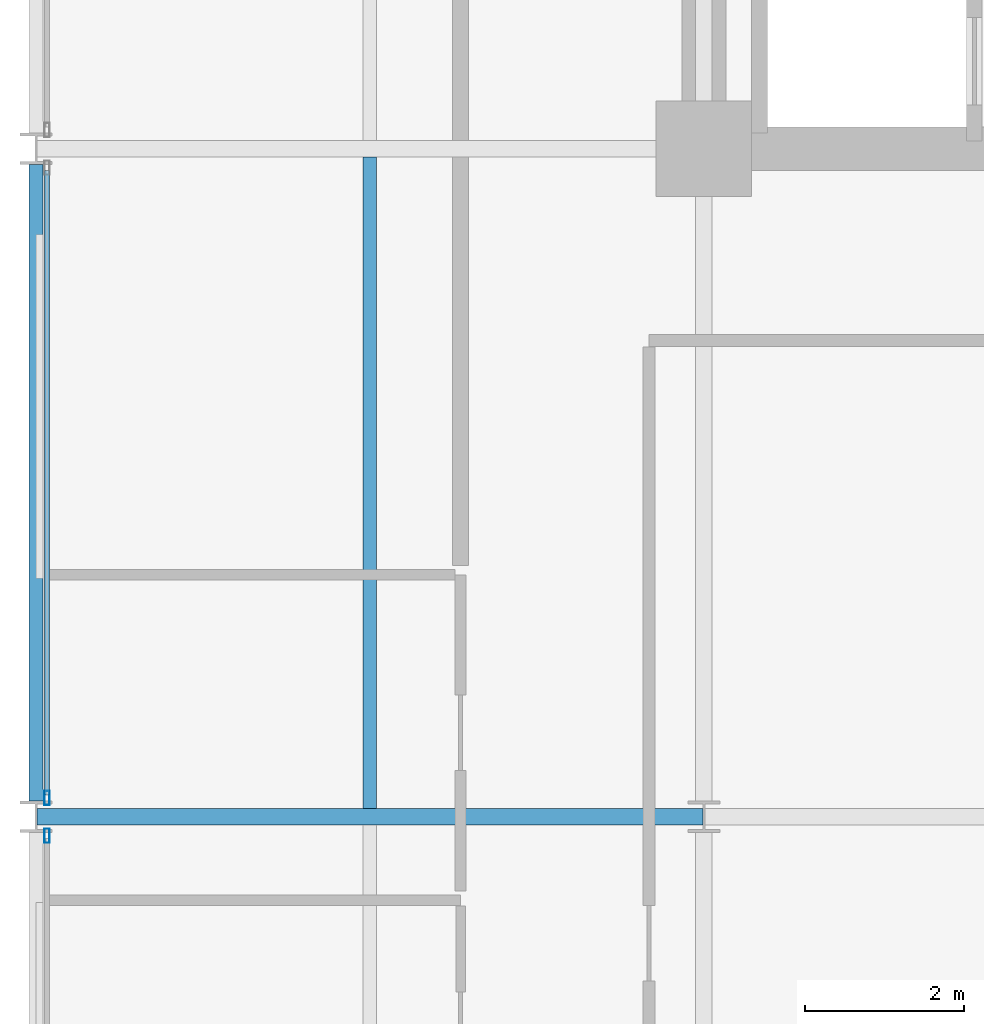
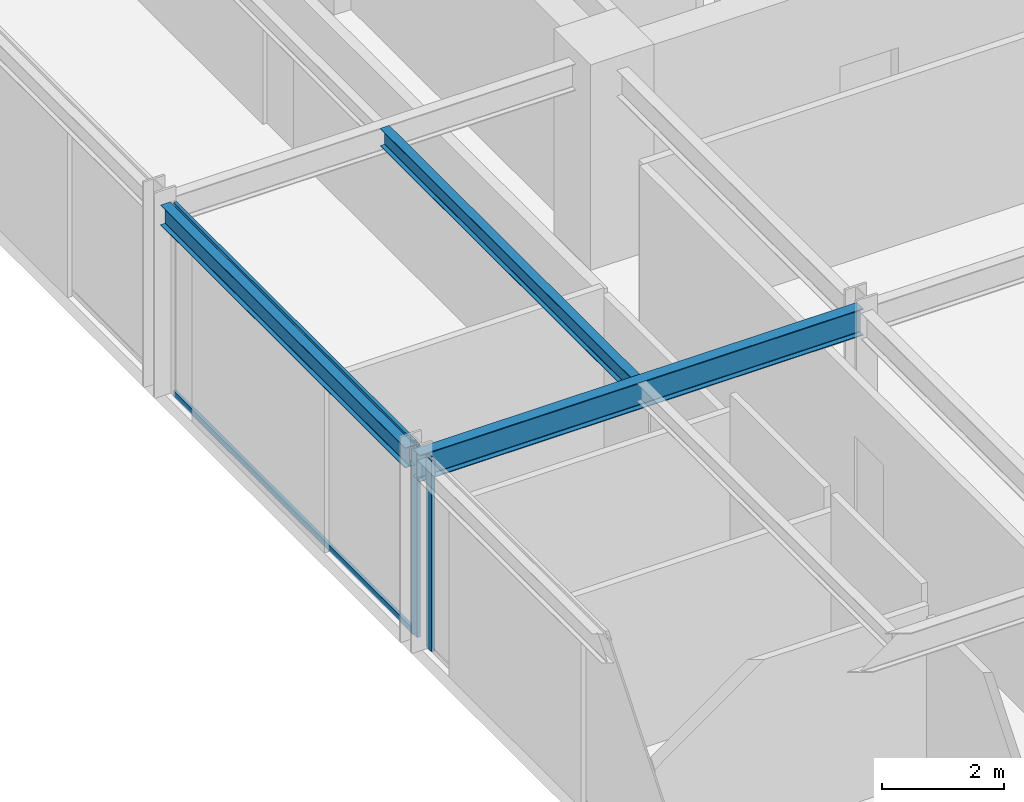
# One storey, part 8 of 29: 4 members, 3 beams, 2 elements without a shape of their own.
"""IFC4 building model written with IfcOpenShell, lengths in metres."""

from ifc_helpers import new_model, si_unit, direction, frame, origin, origin_2d, place, context, subcontext, project, spatial, hollow_rectangle, i_section, extrude, material, layer, layer_set, material_profile, profile_set, type_object, element, aggregate, save


model = new_model("IFC4")

# Units and contexts
model_context = context("Model", 3, precision=1e-05, world=origin(), true_north=direction((0.0, 1.0)))
body_context = subcontext(model_context, "Body", "Model", "MODEL_VIEW")
ifc_project = project(units=[si_unit("LENGTHUNIT", "METRE"), si_unit("AREAUNIT", "SQUARE_METRE"), si_unit("VOLUMEUNIT", "CUBIC_METRE"), si_unit("PLANEANGLEUNIT", "RADIAN"), si_unit("MASSUNIT", "GRAM", prefix="KILO")], contexts=[model_context])

# Site, building, storey
site_placement = place(None, origin())
site = spatial("IfcSite", under=ifc_project, at=site_placement, CompositionType="ELEMENT")
building_placement = place(site_placement, origin())
building = spatial("IfcBuilding", under=site, at=building_placement, Name="Nerrivon Quay Data Exchange", CompositionType="ELEMENT")
storey_placement = place(building_placement, frame((0.0, 0.0, 145.89990234375)))
storey = spatial("IfcBuildingStorey", under=building, at=storey_placement, Name="L34", CompositionType="ELEMENT", Elevation=145.89990234375)

# Beams
ifc_material_1 = material(Name="Steel Grade 350", Category="steel")
ifc_material_profile_1 = material_profile(ifc_material_1, i_section(OverallWidth=0.208984375, OverallDepth=0.532958984375, WebThickness=0.01025390625, FlangeThickness=0.015625, FilletRadius=0.013916015625, at=origin_2d()), Name="530UB92.4")
ifc_profile_set_1 = profile_set([ifc_material_profile_1], Name="Steel Grade 350")
beam_type_1 = type_object("IfcBeamType", Name="BM-G3-530UB92", PredefinedType="BEAM", material=ifc_profile_set_1)
beam_1_placement = place(storey_placement, frame((0.012451171875, 16.800048828125, 3.55859375), z_axis=(1.0, 0.0, 0.0), x_axis=(0.0, 1.0, 0.0)))
element("IfcBeam", 1, at=beam_1_placement, inside=storey, type_object=beam_type_1, Name="L34 EW Girder Y=16.8 (0.0..8.4)", PredefinedType="BEAM", context=body_context, shape_type="SweptSolid", body=[
    extrude(i_section(OverallWidth=0.208984375, OverallDepth=0.532958984375, WebThickness=0.01025390625, FlangeThickness=0.015625, FilletRadius=0.013916015625, at=origin_2d()), origin(), (0.0, 0.0, 1.0), 8.375),
])
ifc_material_profile_2 = material_profile(ifc_material_1, i_section(OverallWidth=0.1708984375, OverallDepth=0.35595703125, WebThickness=0.00732421875, FlangeThickness=0.011474609375, FilletRadius=0.011474609375, at=origin_2d()), Name="360UB50.7")
ifc_profile_set_2 = profile_set([ifc_material_profile_2], Name="Steel Grade 350")
beam_type_2 = type_object("IfcBeamType", Name="BM-J4-360UB51", PredefinedType="JOIST", material=ifc_profile_set_2)
beam_2_placement = place(storey_placement, frame((4.199951171875, 16.904541015625, 3.647216796875), z_axis=(0.0, 1.0, 0.0), x_axis=(-1.0, 0.0, 0.0)))
element("IfcBeam", 2, at=beam_2_placement, inside=storey, type_object=beam_type_2, Name="L34 Secondary Joist X=4.2 (16.8..25.2)", PredefinedType="JOIST", context=body_context, shape_type="SweptSolid", body=[
    extrude(i_section(OverallWidth=0.1708984375, OverallDepth=0.35595703125, WebThickness=0.00732421875, FlangeThickness=0.011474609375, FilletRadius=0.011474609375, at=origin_2d()), origin(), (0.0, 0.0, 1.0), 8.19091796875),
])
ifc_material_profile_3 = material_profile(ifc_material_1, i_section(OverallWidth=0.177978515625, OverallDepth=0.403076171875, WebThickness=0.007568359375, FlangeThickness=0.010986328125, FilletRadius=0.011474609375, at=origin_2d()), Name="410UB53.7")
ifc_profile_set_3 = profile_set([ifc_material_profile_3], Name="Steel Grade 350")
beam_type_3 = type_object("IfcBeamType", Name="BM-SP2-410UB54", PredefinedType="SPANDREL", material=ifc_profile_set_3)
beam_3_placement = place(storey_placement, frame((0.0, 17.0, 3.62353515625), z_axis=(0.0, 1.0, 0.0), x_axis=(-1.0, 0.0, 0.0)))
element("IfcBeam", 3, at=beam_3_placement, inside=storey, type_object=beam_type_3, Name="L34 NS Girder X=0.0 (16.8..25.2)", PredefinedType="SPANDREL", context=body_context, shape_type="SweptSolid", body=[
    extrude(i_section(OverallWidth=0.177978515625, OverallDepth=0.403076171875, WebThickness=0.007568359375, FlangeThickness=0.010986328125, FilletRadius=0.011474609375, at=origin_2d()), origin(), (0.0, 0.0, 1.0), 8.0),
])

# Curtain wall, member
ifc_material_2 = material(Name="Anodised aluminium 6063-T6", Category="aluminium")
ifc_layer = layer(ifc_material_2, 0.2099609375)
ifc_layer_set = layer_set([ifc_layer], Name="Anodised aluminium 6063-T6")
curtain_wall_type = type_object("IfcCurtainWallType", Name="CW-SYS-02", PredefinedType="NOTDEFINED", material=ifc_layer_set)
curtain_wall_1_placement = place(storey_placement, origin())
curtain_wall_1 = element("IfcCurtainWall", 4, at=curtain_wall_1_placement, inside=storey, type_object=curtain_wall_type, Name="L34 Unitised Curtain Wall 12", PredefinedType="NOTDEFINED")
ifc_material_profile_4 = material_profile(ifc_material_2, hollow_rectangle(XDim=0.06494140625, YDim=0.179931640625, WallThickness=0.00341796875, at=origin_2d()), Name="ALU-MULL-180x65")
ifc_profile_set_4 = profile_set([ifc_material_profile_4], Name="Anodised aluminium 6063-T6")
member_type_1 = type_object("IfcMemberType", Name="CWM-180x65", PredefinedType="MULLION", material=ifc_profile_set_4)
member_1_placement = place(storey_placement, frame((0.139892578125, 16.5625, 0.0), z_axis=(0.0, 0.0, 1.0), x_axis=(-1.0, 0.0, 0.0)))
member_1 = element("IfcMember", 5, at=member_1_placement, type_object=member_type_1, Name="CW02 mullion 2", PredefinedType="MULLION", context=body_context, shape_type="SweptSolid", body=[
    extrude(hollow_rectangle(XDim=0.06494140625, YDim=0.179931640625, WallThickness=0.00341796875, at=origin_2d()), origin(), (0.0, 0.0, 1.0), 3.8251953125),
])
aggregate(curtain_wall_1, [member_1])

# Curtain wall, members
curtain_wall_2_placement = place(storey_placement, origin())
curtain_wall_2 = element("IfcCurtainWall", 6, at=curtain_wall_2_placement, inside=storey, type_object=curtain_wall_type, Name="L34 Unitised Curtain Wall 13", PredefinedType="NOTDEFINED")
member_2_placement = place(storey_placement, frame((0.139892578125, 17.03759765625, 0.0), z_axis=(0.0, 0.0, 1.0), x_axis=(-1.0, 0.0, 0.0)))
member_2 = element("IfcMember", 7, at=member_2_placement, type_object=member_type_1, Name="CW02 mullion 1", PredefinedType="MULLION", context=body_context, shape_type="SweptSolid", body=[
    extrude(hollow_rectangle(XDim=0.06494140625, YDim=0.179931640625, WallThickness=0.00341796875, at=origin_2d()), origin(), (0.0, 0.0, 1.0), 3.8251953125),
])
ifc_material_profile_5 = material_profile(ifc_material_2, hollow_rectangle(XDim=0.06005859375, YDim=0.1201171875, WallThickness=0.003173828125, at=origin_2d()), Name="ALU-TRAN-120x60")
ifc_profile_set_5 = profile_set([ifc_material_profile_5], Name="Anodised aluminium 6063-T6")
member_type_2 = type_object("IfcMemberType", Name="CWT-120x60", PredefinedType="USERDEFINED", material=ifc_profile_set_5)
member_3_placement = place(storey_placement, frame((0.139892578125, 17.074951171875, 0.03271484375), z_axis=(0.0, 1.0, 0.0), x_axis=(-1.0, 0.0, 0.0)))
member_3 = element("IfcMember", 8, at=member_3_placement, type_object=member_type_2, Name="CW02 transom 1.1", ObjectType="TRANSOM", PredefinedType="USERDEFINED", context=body_context, shape_type="SweptSolid", body=[
    extrude(hollow_rectangle(XDim=0.06005859375, YDim=0.1201171875, WallThickness=0.003173828125, at=origin_2d()), origin(), (0.0, 0.0, 1.0), 7.85009765625),
])
member_4_placement = place(storey_placement, frame((0.139892578125, 17.074951171875, 3.79248046875), z_axis=(0.0, 1.0, 0.0), x_axis=(-1.0, 0.0, 0.0)))
member_4 = element("IfcMember", 9, at=member_4_placement, type_object=member_type_2, Name="CW02 transom 1.2", ObjectType="TRANSOM", PredefinedType="USERDEFINED", context=body_context, shape_type="SweptSolid", body=[
    extrude(hollow_rectangle(XDim=0.06005859375, YDim=0.1201171875, WallThickness=0.003173828125, at=origin_2d()), origin(), (0.0, 0.0, 1.0), 7.85009765625),
])
aggregate(curtain_wall_2, [member_2, member_3, member_4])

save(model, "model.ifc")
